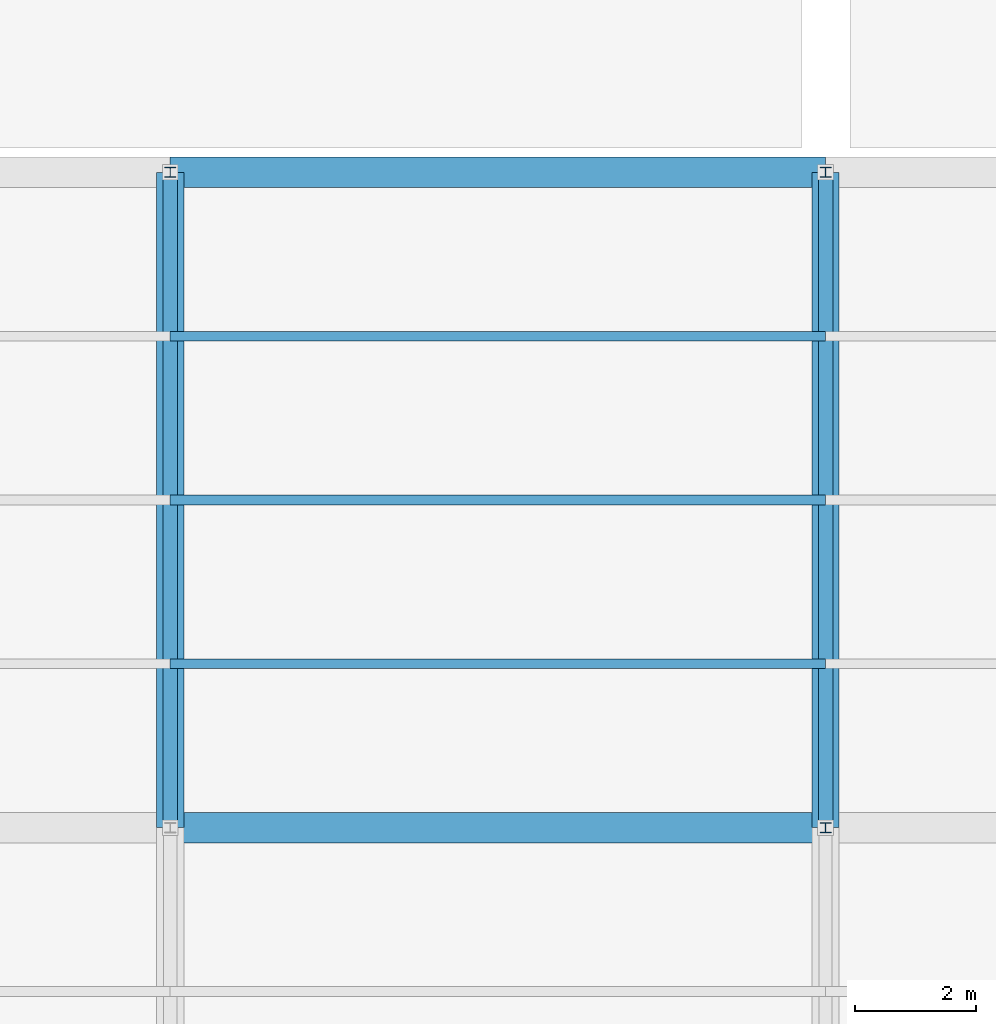
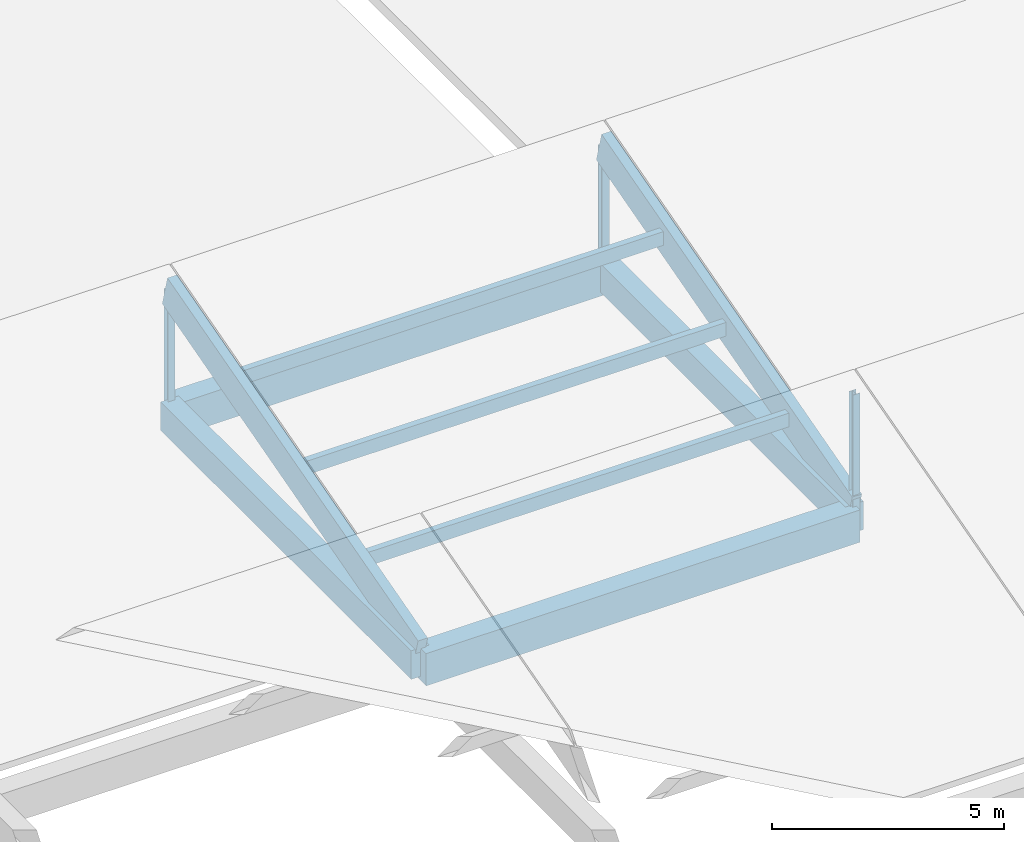
# One storey, part 35 of 112: 8 members, 4 beams.
"""IFC4 building model written with IfcOpenShell, lengths in metres."""

from ifc_helpers import new_model, si_unit, direction, frame, origin, origin_2d, place, context, subcontext, project, spatial, rectangle, i_section, extrude, material, material_profile, profile_set, type_object, element, save


model = new_model("IFC4")

# Units and contexts
model_context = context("Model", 3, precision=1e-05, world=origin(), true_north=direction((0.0, 1.0)))
body_context = subcontext(model_context, "Body", "Model", "MODEL_VIEW")
ifc_project = project(units=[si_unit("LENGTHUNIT", "METRE"), si_unit("AREAUNIT", "SQUARE_METRE"), si_unit("VOLUMEUNIT", "CUBIC_METRE"), si_unit("PLANEANGLEUNIT", "RADIAN"), si_unit("MASSUNIT", "GRAM", prefix="KILO")], contexts=[model_context])

# Site, building, storey
site_placement = place(None, origin())
site = spatial("IfcSite", under=ifc_project, at=site_placement, CompositionType="ELEMENT")
building_placement = place(site_placement, origin())
building = spatial("IfcBuilding", under=site, at=building_placement, Name="Zwinboog Wholesale Market", CompositionType="ELEMENT")
storey_placement = place(building_placement, frame((0.0, 0.0, 19.080078125)))
storey = spatial("IfcBuildingStorey", under=building, at=storey_placement, Name="Roof", CompositionType="ELEMENT", Elevation=19.080078125)

# Beams
ifc_material_1 = material(Name="Precast concrete C45/55", Category="concrete")
ifc_material_profile_1 = material_profile(ifc_material_1, rectangle(XDim=0.5, YDim=0.85009765625, at=origin_2d()), Name="PC 500x850")
ifc_profile_set_1 = profile_set([ifc_material_profile_1], Name="Precast concrete C45/55")
beam_type_1 = type_object("IfcBeamType", Name="BT-03", PredefinedType="BEAM", material=ifc_profile_set_1)
for number, where, z_axis, x_axis, name in (
    (1, (32.39990234375, 97.199951171875, -9.425048828125), (1.0, 0.0, 0.0), (0.0, 1.0, 0.0), "BG-03 (BMG-Roof-0324-0972-1186)"),
    (2, (32.39990234375, 108.0, -9.425048828125), (1.0, 0.0, 0.0), (0.0, 1.0, 0.0), "BG-03 (BMG-Roof-0324-1080-1190)"),
):
    element("IfcBeam", number, at=place(storey_placement, frame(where, z_axis=z_axis, x_axis=x_axis)), inside=storey, type_object=beam_type_1, Name=name, PredefinedType="BEAM", context=body_context, shape_type="SweptSolid", body=[
        extrude(rectangle(XDim=0.5, YDim=0.85009765625, at=origin_2d()), origin(), (0.0, 0.0, 1.0), 10.800048828125),
    ])
ifc_material_profile_2 = material_profile(ifc_material_1, rectangle(XDim=0.449951171875, YDim=0.75, at=origin_2d()), Name="PC 450x750")
ifc_profile_set_2 = profile_set([ifc_material_profile_2], Name="Precast concrete C45/55")
beam_type_2 = type_object("IfcBeamType", Name="BT-04", PredefinedType="BEAM", material=ifc_profile_set_2)
for number, where, z_axis, x_axis, name in (
    (3, (32.39990234375, 97.199951171875, -9.375), (0.0, 1.0, 0.0), (-1.0, 0.0, 0.0), "BG-04 (BMG-Roof-0324-0972-1240)"),
    (4, (43.199951171875, 97.199951171875, -9.375), (0.0, 1.0, 0.0), (-1.0, 0.0, 0.0), "BG-04 (BMG-Roof-0432-0972-1250)"),
):
    element("IfcBeam", number, at=place(storey_placement, frame(where, z_axis=z_axis, x_axis=x_axis)), inside=storey, type_object=beam_type_2, Name=name, PredefinedType="BEAM", context=body_context, shape_type="SweptSolid", body=[
        extrude(rectangle(XDim=0.449951171875, YDim=0.75, at=origin_2d()), origin(), (0.0, 0.0, 1.0), 10.800048828125),
    ])

# Members
ifc_material_2 = material(Name="Steel S355", Category="steel")
ifc_material_profile_3 = material_profile(ifc_material_2, i_section(OverallWidth=0.179931640625, OverallDepth=0.1708984375, WebThickness=0.006103515625, FlangeThickness=0.009521484375, FilletRadius=0.014892578125, at=origin_2d()), Name="HEA 180")
ifc_profile_set_3 = profile_set([ifc_material_profile_3], Name="Steel S355")
member_type_1 = type_object("IfcMemberType", Name="MT-07", PredefinedType="BRACE", material=ifc_profile_set_3)
member_placement = place(storey_placement, frame((43.199951171875, 97.199951171875, -9.2001953125), z_axis=(0.0, 0.0, 1.0), x_axis=(1.0, 0.0, 0.0)))
element("IfcMember", 5, at=member_placement, inside=storey, type_object=member_type_1, Name="DB-04 (MEM-Roof-0824)", PredefinedType="BRACE", context=body_context, shape_type="SweptSolid", body=[
    extrude(i_section(OverallWidth=0.179931640625, OverallDepth=0.1708984375, WebThickness=0.006103515625, FlangeThickness=0.009521484375, FilletRadius=0.014892578125, at=origin_2d()), origin(), (0.0, 0.0, 1.0), 3.14697265625),
])
for number, where, z_axis, x_axis, name in (
    (6, (32.39990234375, 108.0, -9.2001953125), (0.0, 0.0, 1.0), (1.0, 0.0, 0.0), "DB-04 (MEM-Roof-0840)"),
    (7, (43.199951171875, 108.0, -9.2001953125), (0.0, 0.0, 1.0), (1.0, 0.0, 0.0), "DB-04 (MEM-Roof-0842)"),
):
    element("IfcMember", number, at=place(storey_placement, frame(where, z_axis=z_axis, x_axis=x_axis)), inside=storey, type_object=member_type_1, Name=name, PredefinedType="BRACE", context=body_context, shape_type="SweptSolid", body=[
        extrude(i_section(OverallWidth=0.179931640625, OverallDepth=0.1708984375, WebThickness=0.006103515625, FlangeThickness=0.009521484375, FilletRadius=0.014892578125, at=origin_2d()), origin(), (0.0, 0.0, 1.0), 3.0869140625),
    ])
ifc_material_3 = material(Name="Glulam GL28h", Category="wood")
ifc_material_profile_4 = material_profile(ifc_material_3, rectangle(XDim=0.239990234375, YDim=0.840087890625, at=origin_2d()), Name="GL28h 240x840")
ifc_profile_set_4 = profile_set([ifc_material_profile_4], Name="Glulam GL28h")
member_type_2 = type_object("IfcMemberType", Name="MT-09", PredefinedType="RAFTER", material=ifc_profile_set_4)
for number, where, z_axis, x_axis, name in (
    (8, (32.39990234375, 97.199951171875, -9.11328125), (0.0, 0.963518221675, 0.26764274042), (-1.0, 0.0, 0.0), "GR-01 (MEM-Roof-0841)"),
    (9, (43.199951171875, 97.199951171875, -9.11328125), (0.0, 0.963518221675, 0.26764274042), (-1.0, 0.0, 0.0), "GR-01 (MEM-Roof-0843)"),
):
    element("IfcMember", number, at=place(storey_placement, frame(where, z_axis=z_axis, x_axis=x_axis)), inside=storey, type_object=member_type_2, Name=name, PredefinedType="RAFTER", context=body_context, shape_type="SweptSolid", body=[
        extrude(rectangle(XDim=0.239990234375, YDim=0.840087890625, at=origin_2d()), origin(), (0.0, 0.0, 1.0), 11.208984375),
    ])
ifc_material_profile_5 = material_profile(ifc_material_3, rectangle(XDim=0.159912109375, YDim=0.360107421875, at=origin_2d()), Name="GL28h 160x360")
ifc_profile_set_5 = profile_set([ifc_material_profile_5], Name="Glulam GL28h")
member_type_3 = type_object("IfcMemberType", Name="MT-12", PredefinedType="PURLIN", material=ifc_profile_set_5)
for number, where, z_axis, x_axis, name in (
    (10, (32.39990234375, 99.89990234375, -8.333251953125), (1.0, 0.0, 0.0), (0.0, 1.0, 0.0), "GP-01 (MEM-Roof-0844)"),
    (11, (32.39990234375, 105.300048828125, -6.833251953125), (1.0, 0.0, 0.0), (0.0, 1.0, 0.0), "GP-01 (MEM-Roof-0845)"),
    (12, (32.39990234375, 102.60009765625, -7.583251953125), (1.0, 0.0, 0.0), (0.0, 1.0, 0.0), "GP-01 (MEM-PRL-Roof-0040)"),
):
    element("IfcMember", number, at=place(storey_placement, frame(where, z_axis=z_axis, x_axis=x_axis)), inside=storey, type_object=member_type_3, Name=name, PredefinedType="PURLIN", context=body_context, shape_type="SweptSolid", body=[
        extrude(rectangle(XDim=0.159912109375, YDim=0.360107421875, at=origin_2d()), origin(), (0.0, 0.0, 1.0), 10.800048828125),
    ])

save(model, "model.ifc")
